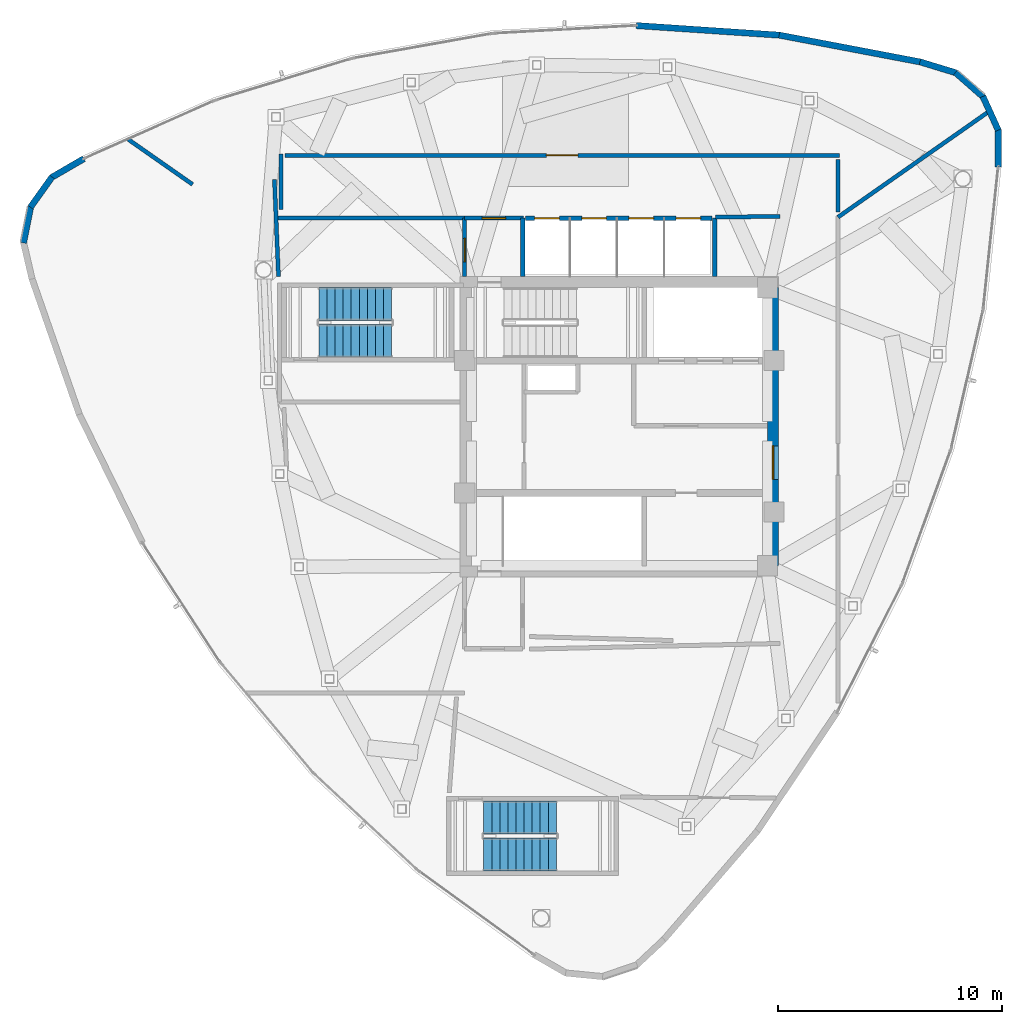
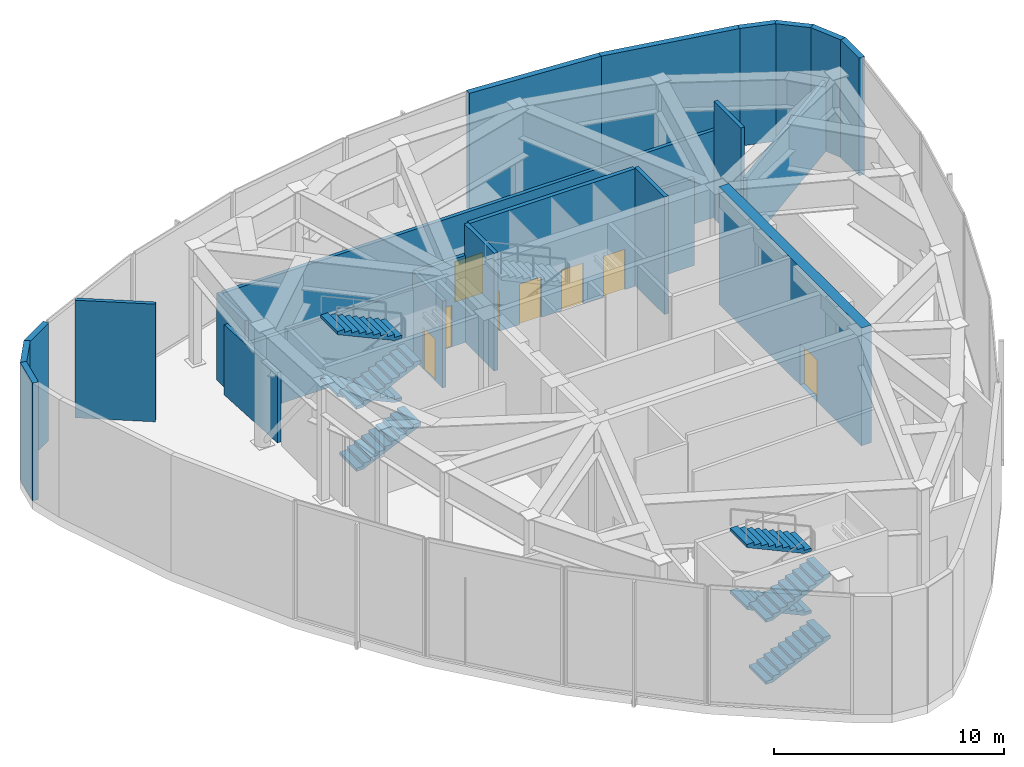
# One storey, part 9 of 13: 23 walls, 8 doors, 8 stair flights, 8 openings, 2 elements without a shape of their own.
"""IFC4 building model written with IfcOpenShell, lengths in metres."""

from ifc_helpers import new_model, si_unit, direction, frame, frame_2d, origin, place, context, subcontext, project, spatial, polyline, rectangle, outline, extrude, material, layer, layer_set, type_object, element, fill, aggregate, save


model = new_model("IFC4")

# Units and contexts
model_context = context("Model", 3, precision=1e-05, world=origin(), true_north=direction((0.0, 1.0)))
body_context = subcontext(model_context, "Body", "Model", "MODEL_VIEW")
ifc_project = project(units=[si_unit("LENGTHUNIT", "METRE"), si_unit("AREAUNIT", "SQUARE_METRE"), si_unit("VOLUMEUNIT", "CUBIC_METRE"), si_unit("PLANEANGLEUNIT", "RADIAN"), si_unit("MASSUNIT", "GRAM", prefix="KILO")], contexts=[model_context])

# Site, building, storey
site_placement = place(None, origin())
site = spatial("IfcSite", under=ifc_project, at=site_placement, CompositionType="ELEMENT")
building_placement = place(site_placement, origin())
building = spatial("IfcBuilding", under=site, at=building_placement, Name="Tavelor Broadcast Tower", CompositionType="ELEMENT")
storey_placement = place(building_placement, frame((0.0, 0.0, 325.5)))
storey = spatial("IfcBuildingStorey", under=building, at=storey_placement, Name="L78", CompositionType="ELEMENT", Elevation=325.5)

# Wall, opening, door
ifc_material_1 = material(Name="Concrete C50/60", Category="concrete")
ifc_layer_1 = layer(ifc_material_1, 0.5)
ifc_layer_set_1 = layer_set([ifc_layer_1], Name="Concrete C50/60")
wall_type_1 = type_object("IfcWallType", Name="Core Shear Wall 500 mm", PredefinedType="SHEAR", material=ifc_layer_set_1)
wall_1_placement = place(storey_placement, frame((56.85009765625, 38.800048828125, 0.0), z_axis=(0.0, 0.0, 1.0), x_axis=(0.0, 1.0, 0.0)))
wall_1 = element("IfcWall", 1, at=wall_1_placement, inside=storey, type_object=wall_type_1, Name="L78 Central Core Shear Wall E", PredefinedType="SHEAR", context=body_context, shape_type="SweptSolid", body=[
    extrude(rectangle(XDim=12.39990234375, YDim=0.5, at=frame_2d((6.199951171875, 0.0))), origin(), (0.0, 0.0, 1.0), 6.25),
])
opening_1_placement = place(wall_1_placement, frame((3.85009765625, 0.0, 0.0)))
opening_1 = element("IfcOpeningElement", 2, at=opening_1_placement, cuts=wall_1, Name="Opening DR14", PredefinedType="OPENING", context=body_context, shape_type="SweptSolid", body=[
    extrude(rectangle(XDim=1.5, YDim=2.199951171875, at=frame_2d((0.75, 1.10009765625))), frame((0.0, 0.260009765625, 0.0), z_axis=(0.0, -1.0, 0.0), x_axis=(1.0, 0.0, 0.0)), (0.0, 0.0, 1.0), 0.52001953125),
])
ifc_material_2 = material(Name="Steel S355", Category="steel")
door_type_1 = type_object("IfcDoorType", Name="Firefighting Lobby Double Fire Door 1500x2200", OperationType="NOTDEFINED", PredefinedType="DOOR", material=ifc_material_2)
door_1_placement = place(opening_1_placement, origin())
door_1 = element("IfcDoor", 3, at=door_1_placement, inside=storey, type_object=door_type_1, Name="L78 Central Core Lobby Fire Door", OperationType="SINGLE_SWING_LEFT", OverallHeight=2.199951171875, OverallWidth=1.5, PredefinedType="DOOR", context=body_context, shape_type="SweptSolid", body=[
    extrude(rectangle(XDim=1.5, YDim=2.199951171875, at=frame_2d((0.75, 1.10009765625))), frame((0.0, 0.02490234375, 0.0), z_axis=(0.0, -1.0, 0.0), x_axis=(1.0, 0.0, 0.0)), (0.0, 0.0, 1.0), 0.050048828125),
])
fill(opening_1, door_1)

# Wall
ifc_material_3 = material(Name="Calcium Silicate Fire Board 180 mm", Category="gypsum")
ifc_layer_2 = layer(ifc_material_3, 0.179931640625)
ifc_layer_set_2 = layer_set([ifc_layer_2], Name="Calcium Silicate Fire Board 180 mm")
wall_type_2 = type_object("IfcWallType", Name="Fire-Rated Corridor Partition Wall 180 mm", PredefinedType="PARTITIONING", material=ifc_layer_set_2)
wall_2_placement = place(storey_placement, frame((34.61669921875, 56.01953125, 0.0), z_axis=(0.0, 0.0, 1.0), x_axis=(0.041900659134, -0.999121781748, 0.0)))
element("IfcWall", 4, at=wall_2_placement, inside=storey, type_object=wall_type_2, Name="L78 Corner Brace Furring Wall 1", PredefinedType="PARTITIONING", context=body_context, shape_type="SweptSolid", body=[
    extrude(rectangle(XDim=4.323486328125, YDim=0.179931640625, at=frame_2d((2.16162109375, 0.0))), origin(), (0.0, 0.0, 1.0), 3.72509765625),
])

# Wall, opening, door
wall_3_placement = place(storey_placement, frame((43.10009765625, 54.300048828125, 0.0), z_axis=(0.0, 0.0, 1.0), x_axis=(1.0, 0.0, 0.0)))
wall_3 = element("IfcWall", 5, at=wall_3_placement, inside=storey, type_object=wall_type_2, Name="L78 Stair ST1 Lobby North Wall", PredefinedType="PARTITIONING", context=body_context, shape_type="SweptSolid", body=[
    extrude(rectangle(XDim=2.619873046875, YDim=0.179931640625, at=frame_2d((1.31005859375, 0.0))), origin(), (0.0, 0.0, 1.0), 4.625),
])
opening_2_placement = place(wall_3_placement, frame((0.780029296875, 0.0, 0.0)))
opening_2 = element("IfcOpeningElement", 6, at=opening_2_placement, cuts=wall_3, Name="Opening DR11", PredefinedType="OPENING", context=body_context, shape_type="SweptSolid", body=[
    extrude(rectangle(XDim=1.050048828125, YDim=2.199951171875, at=frame_2d((0.52490234375, 1.10009765625))), frame((0.0, 0.10009765625, 0.0), z_axis=(0.0, -1.0, 0.0), x_axis=(1.0, 0.0, 0.0)), (0.0, 0.0, 1.0), 0.199951171875),
])
door_type_2 = type_object("IfcDoorType", Name="Stair Core Fire Escape Door 1050x2200", OperationType="NOTDEFINED", PredefinedType="DOOR", material=ifc_material_2)
door_2_placement = place(opening_2_placement, origin())
door_2 = element("IfcDoor", 7, at=door_2_placement, inside=storey, type_object=door_type_2, Name="L78 Stair ST1 Lobby Corridor Door", OperationType="SINGLE_SWING_LEFT", OverallHeight=2.199951171875, OverallWidth=1.050048828125, PredefinedType="DOOR", context=body_context, shape_type="SweptSolid", body=[
    extrude(rectangle(XDim=1.050048828125, YDim=2.199951171875, at=frame_2d((0.52490234375, 1.10009765625))), frame((0.0, 0.02490234375, 0.0), z_axis=(0.0, -1.0, 0.0), x_axis=(1.0, 0.0, 0.0)), (0.0, 0.0, 1.0), 0.050048828125),
])
fill(opening_2, door_2)

wall_4_placement = place(storey_placement, frame((43.10009765625, 51.699951171875, 0.0), z_axis=(0.0, 0.0, 1.0), x_axis=(0.0, 1.0, 0.0)))
wall_4 = element("IfcWall", 8, at=wall_4_placement, inside=storey, type_object=wall_type_2, Name="L78 Fire Refuge North Stair ST1 Lobby Wall", PredefinedType="PARTITIONING", context=body_context, shape_type="SweptSolid", body=[
    extrude(rectangle(XDim=2.60009765625, YDim=0.179931640625, at=frame_2d((1.300048828125, 0.0))), origin(), (0.0, 0.0, 1.0), 4.625),
])
opening_3_placement = place(wall_4_placement, frame((0.64990234375, 0.0, 0.0)))
opening_3 = element("IfcOpeningElement", 9, at=opening_3_placement, cuts=wall_4, Name="Opening DR11", PredefinedType="OPENING", context=body_context, shape_type="SweptSolid", body=[
    extrude(rectangle(XDim=1.050048828125, YDim=2.199951171875, at=frame_2d((0.52490234375, 1.10009765625))), frame((0.0, 0.10009765625, 0.0), z_axis=(0.0, -1.0, 0.0), x_axis=(1.0, 0.0, 0.0)), (0.0, 0.0, 1.0), 0.199951171875),
])
door_3_placement = place(opening_3_placement, origin())
door_3 = element("IfcDoor", 10, at=door_3_placement, inside=storey, type_object=door_type_2, Name="L78 Fire Refuge Stair ST1 Lobby Door", OperationType="SINGLE_SWING_RIGHT", OverallHeight=2.199951171875, OverallWidth=1.050048828125, PredefinedType="DOOR", context=body_context, shape_type="SweptSolid", body=[
    extrude(rectangle(XDim=1.050048828125, YDim=2.199951171875, at=frame_2d((0.52490234375, 1.10009765625))), frame((0.0, 0.02490234375, 0.0), z_axis=(0.0, -1.0, 0.0), x_axis=(1.0, 0.0, 0.0)), (0.0, 0.0, 1.0), 0.050048828125),
])
fill(opening_3, door_3)

# Walls
wall_5_placement = place(storey_placement, frame((34.62890625, 54.300048828125, 0.0), z_axis=(0.0, 0.0, 1.0), x_axis=(1.0, 0.0, 0.0)))
element("IfcWall", 11, at=wall_5_placement, inside=storey, type_object=wall_type_2, Name="L78 Fire Refuge North EI120 Wall", PredefinedType="PARTITIONING", context=body_context, shape_type="SweptSolid", body=[
    extrude(rectangle(XDim=8.47119140625, YDim=0.179931640625, at=frame_2d((4.235595703125, 0.0))), origin(), (0.0, 0.0, 1.0), 3.72509765625),
])
wall_6_placement = place(storey_placement, frame((59.75, 54.347900390625, 0.0), z_axis=(0.0, 0.0, 1.0), x_axis=(0.819158229677, 0.573567602601, 0.0)))
element("IfcWall", 12, at=wall_6_placement, inside=storey, type_object=wall_type_2, Name="L78 Plant Quadrant Fire Wall", PredefinedType="PARTITIONING", context=body_context, shape_type="SweptSolid", body=[
    extrude(rectangle(XDim=8.25, YDim=0.179931640625, at=frame_2d((4.125, 0.0))), origin(), (0.0, 0.0, 1.0), 3.72509765625),
])
wall_7_placement = place(storey_placement, frame((30.966552734375, 55.806640625, 0.0), z_axis=(0.0, 0.0, 1.0), x_axis=(-0.819157035825, 0.573569307633, 0.0)))
element("IfcWall", 13, at=wall_7_placement, inside=storey, type_object=wall_type_2, Name="L78 Plant Quadrant Fire Wall", PredefinedType="PARTITIONING", context=body_context, shape_type="SweptSolid", body=[
    extrude(rectangle(XDim=3.523193359375, YDim=0.179931640625, at=frame_2d((1.76171875, 0.0))), origin(), (0.0, 0.0, 1.0), 6.25),
])
wall_8_placement = place(storey_placement, frame((54.2900390625, 54.349365234375, 0.0), z_axis=(0.0, 0.0, 1.0), x_axis=(0.999940720292, 0.010888337916, 0.0)))
element("IfcWall", 14, at=wall_8_placement, inside=storey, type_object=wall_type_2, Name="L78 Plant Corridor Fire Wall", PredefinedType="PARTITIONING", context=body_context, shape_type="SweptSolid", body=[
    extrude(rectangle(XDim=2.8701171875, YDim=0.179931640625, at=frame_2d((1.43505859375, 0.0))), origin(), (0.0, 0.0, 1.0), 4.625),
])
wall_9_placement = place(storey_placement, frame((34.89990234375, 54.693115234375, 0.0), z_axis=(0.0, 0.0, 1.0), x_axis=(0.0, 1.0, 0.0)))
element("IfcWall", 15, at=wall_9_placement, inside=storey, type_object=wall_type_2, Name="L78 Plant Corridor Fire Wall", PredefinedType="PARTITIONING", context=body_context, shape_type="SweptSolid", body=[
    extrude(rectangle(XDim=2.466796875, YDim=0.179931640625, at=frame_2d((1.2333984375, 0.0))), origin(), (0.0, 0.0, 1.0), 4.625),
])

# Wall, opening, door
wall_10_placement = place(storey_placement, frame((35.080078125, 57.10009765625, 0.0), z_axis=(0.0, 0.0, 1.0), x_axis=(1.0, 0.0, 0.0)))
wall_10 = element("IfcWall", 16, at=wall_10_placement, inside=storey, type_object=wall_type_2, Name="L78 Plant Corridor Fire Wall", PredefinedType="PARTITIONING", context=body_context, shape_type="SweptSolid", body=[
    extrude(rectangle(XDim=24.72998046875, YDim=0.179931640625, at=frame_2d((12.364990234375, 0.0))), origin(), (0.0, 0.0, 1.0), 4.625),
])
opening_4_placement = place(wall_10_placement, frame((11.6650390625, 0.0, 0.0)))
opening_4 = element("IfcOpeningElement", 17, at=opening_4_placement, cuts=wall_10, Name="Opening DR41", PredefinedType="OPENING", context=body_context, shape_type="SweptSolid", body=[
    extrude(rectangle(XDim=1.39990234375, YDim=2.14990234375, at=frame_2d((0.699951171875, 1.074951171875))), frame((0.0, 0.10009765625, 0.0), z_axis=(0.0, -1.0, 0.0), x_axis=(1.0, 0.0, 0.0)), (0.0, 0.0, 1.0), 0.199951171875),
])
door_type_3 = type_object("IfcDoorType", Name="Plant Room Double Fire Door 1400x2150", OperationType="NOTDEFINED", PredefinedType="DOOR", material=ifc_material_2)
door_4_placement = place(opening_4_placement, origin())
door_4 = element("IfcDoor", 18, at=door_4_placement, inside=storey, type_object=door_type_3, Name="L78 Tuned Mass Damper Chamber Direct Corridor Door", OperationType="SINGLE_SWING_LEFT", OverallHeight=2.14990234375, OverallWidth=1.39990234375, PredefinedType="DOOR", context=body_context, shape_type="SweptSolid", body=[
    extrude(rectangle(XDim=1.39990234375, YDim=2.14990234375, at=frame_2d((0.699951171875, 1.074951171875))), frame((0.0, 0.02490234375, 0.0), z_axis=(0.0, -1.0, 0.0), x_axis=(1.0, 0.0, 0.0)), (0.0, 0.0, 1.0), 0.050048828125),
])
fill(opening_4, door_4)

# Walls
wall_11_placement = place(storey_placement, frame((59.75, 56.919921875, 0.0), z_axis=(0.0, 0.0, 1.0), x_axis=(0.0, -1.0, 0.0)))
element("IfcWall", 19, at=wall_11_placement, inside=storey, type_object=wall_type_2, Name="L78 Plant Corridor Fire Wall", PredefinedType="PARTITIONING", context=body_context, shape_type="SweptSolid", body=[
    extrude(rectangle(XDim=2.351318359375, YDim=0.179931640625, at=frame_2d((1.17578125, 0.0))), origin(), (0.0, 0.0, 1.0), 6.25),
])
ifc_material_4 = material(Name="Precast Concrete C40/50", Category="concrete")
ifc_layer_3 = layer(ifc_material_4, 0.280029296875)
ifc_layer_set_3 = layer_set([ifc_layer_3], Name="Precast Concrete C40/50")
wall_type_3 = type_object("IfcWallType", Name="Insulated Precast Terracotta Facade Wall 280 mm", PredefinedType="STANDARD", material=ifc_layer_set_3)
wall_12_placement = place(storey_placement, frame((26.116943359375, 56.95458984375, 0.0), z_axis=(0.0, 0.0, 1.0), x_axis=(-0.864749941909, -0.502202686142, 0.0)))
element("IfcWall", 20, at=wall_12_placement, inside=storey, type_object=wall_type_3, Name="L78 Rounded Corner Structural Cladding Pier 01", PredefinedType="STANDARD", context=body_context, shape_type="SweptSolid", body=[
    extrude(rectangle(XDim=1.666015625, YDim=0.280029296875, at=frame_2d((0.8330078125, 0.0))), origin(), (0.0, 0.0, 1.0), 6.25),
])
wall_13_placement = place(storey_placement, frame((24.697998046875, 56.1376953125, 0.0), z_axis=(0.0, 0.0, 1.0), x_axis=(-0.581377766879, -0.813633758013, 0.0)))
element("IfcWall", 21, at=wall_13_placement, inside=storey, type_object=wall_type_3, Name="L78 Rounded Corner Structural Cladding Pier 02", PredefinedType="STANDARD", context=body_context, shape_type="SweptSolid", body=[
    extrude(rectangle(XDim=1.654541015625, YDim=0.280029296875, at=frame_2d((0.8271484375, 0.0))), origin(), (0.0, 0.0, 1.0), 6.25),
])
wall_14_placement = place(storey_placement, frame((23.747802734375, 54.818359375, 0.0), z_axis=(0.0, 0.0, 1.0), x_axis=(-0.195094354541, -0.980784478276, 0.0)))
element("IfcWall", 22, at=wall_14_placement, inside=storey, type_object=wall_type_3, Name="L78 Rounded Corner Structural Cladding Pier 03", PredefinedType="STANDARD", context=body_context, shape_type="SweptSolid", body=[
    extrude(rectangle(XDim=1.654296875, YDim=0.280029296875, at=frame_2d((0.8271484375, 0.0))), origin(), (0.0, 0.0, 1.0), 6.25),
])
wall_15_placement = place(storey_placement, frame((66.89453125, 56.58837890625, 0.0), z_axis=(0.0, 0.0, 1.0), x_axis=(-0.002637739944, 0.999996521158, 0.0)))
element("IfcWall", 23, at=wall_15_placement, inside=storey, type_object=wall_type_3, Name="L78 Rounded Corner Structural Cladding Pier 21", PredefinedType="STANDARD", context=body_context, shape_type="SweptSolid", body=[
    extrude(rectangle(XDim=1.666015625, YDim=0.280029296875, at=frame_2d((0.8330078125, 0.0))), origin(), (0.0, 0.0, 1.0), 6.25),
])
wall_16_placement = place(storey_placement, frame((66.896484375, 58.2255859375, 0.0), z_axis=(0.0, 0.0, 1.0), x_axis=(-0.413914118792, 0.910315935412, 0.0)))
element("IfcWall", 24, at=wall_16_placement, inside=storey, type_object=wall_type_3, Name="L78 Rounded Corner Structural Cladding Pier 22", PredefinedType="STANDARD", context=body_context, shape_type="SweptSolid", body=[
    extrude(rectangle(XDim=1.654541015625, YDim=0.280029296875, at=frame_2d((0.8271484375, 0.0))), origin(), (0.0, 0.0, 1.0), 6.25),
])
wall_17_placement = place(storey_placement, frame((66.22900390625, 59.7080078125, 0.0), z_axis=(0.0, 0.0, 1.0), x_axis=(-0.751716758053, 0.659486099674, 0.0)))
element("IfcWall", 25, at=wall_17_placement, inside=storey, type_object=wall_type_3, Name="L78 Rounded Corner Structural Cladding Pier 23", PredefinedType="STANDARD", context=body_context, shape_type="SweptSolid", body=[
    extrude(rectangle(XDim=1.654296875, YDim=0.280029296875, at=frame_2d((0.8271484375, 0.0))), origin(), (0.0, 0.0, 1.0), 6.25),
])
wall_18_placement = place(storey_placement, frame((65.010986328125, 60.78466796875, 0.0), z_axis=(0.0, 0.0, 1.0), x_axis=(-0.956546855659, 0.291578656504, 0.0)))
element("IfcWall", 26, at=wall_18_placement, inside=storey, type_object=wall_type_3, Name="L78 Rounded Corner Structural Cladding Pier 24", PredefinedType="STANDARD", context=body_context, shape_type="SweptSolid", body=[
    extrude(rectangle(XDim=1.67724609375, YDim=0.280029296875, at=frame_2d((0.838623046875, 0.0))), origin(), (0.0, 0.0, 1.0), 6.25),
])
wall_19_placement = place(storey_placement, frame((63.435791015625, 61.2666015625, 0.0), z_axis=(0.0, 0.0, 1.0), x_axis=(-0.982368813291, 0.186953241945, 0.0)))
element("IfcWall", 27, at=wall_19_placement, inside=storey, type_object=wall_type_3, Name="L78 Rounded Corner Structural Cladding Pier 25", PredefinedType="STANDARD", context=body_context, shape_type="SweptSolid", body=[
    extrude(rectangle(XDim=6.42626953125, YDim=0.280029296875, at=frame_2d((3.213134765625, 0.0))), origin(), (0.0, 0.0, 1.0), 6.25),
])
wall_20_placement = place(storey_placement, frame((57.15234375, 62.46435546875, 0.0), z_axis=(0.0, 0.0, 1.0), x_axis=(-0.997774197542, 0.066683211676, 0.0)))
element("IfcWall", 28, at=wall_20_placement, inside=storey, type_object=wall_type_3, Name="L78 Rounded Corner Structural Cladding Pier 26", PredefinedType="STANDARD", context=body_context, shape_type="SweptSolid", body=[
    extrude(rectangle(XDim=6.414306640625, YDim=0.280029296875, at=frame_2d((3.20703125, 0.0))), origin(), (0.0, 0.0, 1.0), 6.25),
])

# Wall, openings, doors
ifc_material_5 = material(Name="Concrete Blockwork 200 mm", Category="masonry")
ifc_layer_4 = layer(ifc_material_5, 0.199951171875)
ifc_layer_set_4 = layer_set([ifc_layer_4], Name="Concrete Blockwork 200 mm")
wall_type_4 = type_object("IfcWallType", Name="Lift Hoistway Rated Front Wall 200 mm", PredefinedType="PARTITIONING", material=ifc_layer_set_4)
wall_21_placement = place(storey_placement, frame((45.820068359375, 54.300048828125, 0.0), z_axis=(0.0, 0.0, 1.0), x_axis=(1.0, 0.0, 0.0)))
wall_21 = element("IfcWall", 29, at=wall_21_placement, inside=storey, type_object=wall_type_4, Name="L78 High-Rise Lift Hoistway Front Wall", PredefinedType="PARTITIONING", context=body_context, shape_type="SweptSolid", body=[
    extrude(rectangle(XDim=8.309814453125, YDim=0.199951171875, at=frame_2d((4.15478515625, 0.0))), origin(), (0.0, 0.0, 1.0), 6.25),
])
opening_5_placement = place(wall_21_placement, frame((0.405029296875, 0.0, 0.0)))
opening_5 = element("IfcOpeningElement", 30, at=opening_5_placement, cuts=wall_21, Name="Opening LD01", PredefinedType="OPENING", context=body_context, shape_type="SweptSolid", body=[
    extrude(rectangle(XDim=1.10009765625, YDim=2.14990234375, at=frame_2d((0.550048828125, 1.074951171875))), frame((0.0, 0.10986328125, 0.0), z_axis=(0.0, -1.0, 0.0), x_axis=(1.0, 0.0, 0.0)), (0.0, 0.0, 1.0), 0.219970703125),
])
opening_6_placement = place(wall_21_placement, frame((2.5048828125, 0.0, 0.0)))
opening_6 = element("IfcOpeningElement", 31, at=opening_6_placement, cuts=wall_21, Name="Opening LD01", PredefinedType="OPENING", context=body_context, shape_type="SweptSolid", body=[
    extrude(rectangle(XDim=1.10009765625, YDim=2.14990234375, at=frame_2d((0.550048828125, 1.074951171875))), frame((0.0, 0.10986328125, 0.0), z_axis=(0.0, -1.0, 0.0), x_axis=(1.0, 0.0, 0.0)), (0.0, 0.0, 1.0), 0.219970703125),
])
opening_7_placement = place(wall_21_placement, frame((4.60498046875, 0.0, 0.0)))
opening_7 = element("IfcOpeningElement", 32, at=opening_7_placement, cuts=wall_21, Name="Opening LD01", PredefinedType="OPENING", context=body_context, shape_type="SweptSolid", body=[
    extrude(rectangle(XDim=1.10009765625, YDim=2.14990234375, at=frame_2d((0.550048828125, 1.074951171875))), frame((0.0, 0.10986328125, 0.0), z_axis=(0.0, -1.0, 0.0), x_axis=(1.0, 0.0, 0.0)), (0.0, 0.0, 1.0), 0.219970703125),
])
opening_8_placement = place(wall_21_placement, frame((6.705078125, 0.0, 0.0)))
opening_8 = element("IfcOpeningElement", 33, at=opening_8_placement, cuts=wall_21, Name="Opening LD01", PredefinedType="OPENING", context=body_context, shape_type="SweptSolid", body=[
    extrude(rectangle(XDim=1.10009765625, YDim=2.14990234375, at=frame_2d((0.550048828125, 1.074951171875))), frame((0.0, 0.10986328125, 0.0), z_axis=(0.0, -1.0, 0.0), x_axis=(1.0, 0.0, 0.0)), (0.0, 0.0, 1.0), 0.219970703125),
])
ifc_material_6 = material(Name="Brushed Stainless Steel", Category="steel")
door_type_4 = type_object("IfcDoorType", Name="Passenger Lift Sliding Landing Door 1100x2150", OperationType="NOTDEFINED", PredefinedType="DOOR", material=ifc_material_6)
door_5_placement = place(opening_5_placement, origin())
door_5 = element("IfcDoor", 34, at=door_5_placement, inside=storey, type_object=door_type_4, Name="L78 Lift PLH1 Sliding Landing Door", OperationType="SLIDING_TO_LEFT", OverallHeight=2.14990234375, OverallWidth=1.10009765625, PredefinedType="DOOR", context=body_context, shape_type="SweptSolid", body=[
    extrude(rectangle(XDim=1.10009765625, YDim=2.14990234375, at=frame_2d((0.550048828125, 1.074951171875))), frame((0.0, 0.02490234375, 0.0), z_axis=(0.0, -1.0, 0.0), x_axis=(1.0, 0.0, 0.0)), (0.0, 0.0, 1.0), 0.050048828125),
])
fill(opening_5, door_5)
door_6_placement = place(opening_6_placement, origin())
door_6 = element("IfcDoor", 35, at=door_6_placement, inside=storey, type_object=door_type_4, Name="L78 Lift PLH2 Sliding Landing Door", OperationType="SLIDING_TO_RIGHT", OverallHeight=2.14990234375, OverallWidth=1.10009765625, PredefinedType="DOOR", context=body_context, shape_type="SweptSolid", body=[
    extrude(rectangle(XDim=1.10009765625, YDim=2.14990234375, at=frame_2d((0.550048828125, 1.074951171875))), frame((0.0, 0.02490234375, 0.0), z_axis=(0.0, -1.0, 0.0), x_axis=(1.0, 0.0, 0.0)), (0.0, 0.0, 1.0), 0.050048828125),
])
fill(opening_6, door_6)
door_7_placement = place(opening_7_placement, origin())
door_7 = element("IfcDoor", 36, at=door_7_placement, inside=storey, type_object=door_type_4, Name="L78 Lift PLH3 Sliding Landing Door", OperationType="SLIDING_TO_LEFT", OverallHeight=2.14990234375, OverallWidth=1.10009765625, PredefinedType="DOOR", context=body_context, shape_type="SweptSolid", body=[
    extrude(rectangle(XDim=1.10009765625, YDim=2.14990234375, at=frame_2d((0.550048828125, 1.074951171875))), frame((0.0, 0.02490234375, 0.0), z_axis=(0.0, -1.0, 0.0), x_axis=(1.0, 0.0, 0.0)), (0.0, 0.0, 1.0), 0.050048828125),
])
fill(opening_7, door_7)
door_8_placement = place(opening_8_placement, origin())
door_8 = element("IfcDoor", 37, at=door_8_placement, inside=storey, type_object=door_type_4, Name="L78 Lift PLH4 Sliding Landing Door", OperationType="SLIDING_TO_RIGHT", OverallHeight=2.14990234375, OverallWidth=1.10009765625, PredefinedType="DOOR", context=body_context, shape_type="SweptSolid", body=[
    extrude(rectangle(XDim=1.10009765625, YDim=2.14990234375, at=frame_2d((0.550048828125, 1.074951171875))), frame((0.0, 0.02490234375, 0.0), z_axis=(0.0, -1.0, 0.0), x_axis=(1.0, 0.0, 0.0)), (0.0, 0.0, 1.0), 0.050048828125),
])
fill(opening_8, door_8)

# Walls
ifc_layer_5 = layer(ifc_material_5, 0.199951171875)
ifc_layer_set_5 = layer_set([ifc_layer_5], Name="Concrete Blockwork 200 mm")
wall_type_5 = type_object("IfcWallType", Name="Lift and Riser Shaft Enclosure Wall 200 mm", PredefinedType="PARTITIONING", material=ifc_layer_set_5)
for number, where, z_axis, x_axis, name in (
    (38, (45.699951171875, 51.699951171875, 0.0), (0.0, 0.0, 1.0), (0.0, 1.0, 0.0), "L78 High-Rise Lift Shaft West Wall"),
    (39, (54.25, 51.699951171875, 0.0), (0.0, 0.0, 1.0), (0.0, 1.0, 0.0), "L78 High-Rise Lift Shaft East Wall"),
):
    element("IfcWall", number, at=place(storey_placement, frame(where, z_axis=z_axis, x_axis=x_axis)), inside=storey, type_object=wall_type_5, Name=name, PredefinedType="PARTITIONING", context=body_context, shape_type="SweptSolid", body=[
        extrude(rectangle(XDim=2.60009765625, YDim=0.199951171875, at=frame_2d((1.300048828125, 0.0))), origin(), (0.0, 0.0, 1.0), 6.25),
    ])

# Stair, stair flights
ifc_material_7 = material(Name="Concrete C40/50", Category="concrete")
stair_type = type_object("IfcStairType", Name="Reinforced Concrete Protected Dogleg Stair 1450 mm", PredefinedType="HALF_TURN_STAIR", material=ifc_material_7)
stair_1_placement = place(storey_placement, origin())
stair_1 = element("IfcStair", 40, at=stair_1_placement, inside=storey, type_object=stair_type, Name="L78 Crown Peak A Plant Stair ST5", PredefinedType="HALF_TURN_STAIR")
stair_flight_type = type_object("IfcStairFlightType", Name="Reinforced Concrete Stair Flight 1450 mm", PredefinedType="STRAIGHT", material=ifc_material_7)
stair_flight_1_placement = place(storey_placement, frame((36.60009765625, 48.824951171875, 0.0), z_axis=(0.0, 0.0, 1.0), x_axis=(1.0, 0.0, 0.0)))
stair_flight_1 = element("IfcStairFlight", 41, at=stair_flight_1_placement, type_object=stair_flight_type, Name="ST5 flight 1", NumberOfRisers=10, NumberOfTreads=9, PredefinedType="STRAIGHT", RiserHeight=0.165, TreadLength=0.36, context=body_context, shape_type="SweptSolid", body=[
    extrude(outline(polyline([(0.0, 0.0), (0.0, 0.1650390625), (0.360107421875, 0.1650390625), (0.360107421875, 0.330078125), (0.719970703125, 0.330078125), (0.719970703125, 0.4951171875), (1.080078125, 0.4951171875), (1.080078125, 0.659912109375), (1.43994140625, 0.659912109375), (1.43994140625, 0.824951171875), (1.800048828125, 0.824951171875), (1.800048828125, 0.989990234375), (2.159912109375, 0.989990234375), (2.159912109375, 1.155029296875), (2.52001953125, 1.155029296875), (2.52001953125, 1.320068359375), (2.8798828125, 1.320068359375), (2.8798828125, 1.485107421875), (3.239990234375, 1.485107421875), (3.239990234375, 1.64990234375), (3.239990234375, 1.320068359375), (0.35986328125, 0.0), (0.0, 0.0)])), frame((0.0, 0.72509765625, 0.0), z_axis=(0.0, -1.0, 0.0), x_axis=(1.0, 0.0, 0.0)), (0.0, 0.0, 1.0), 1.449951171875),
])
stair_flight_2_placement = place(storey_placement, frame((39.840087890625, 50.47509765625, 1.64990234375), z_axis=(0.0, 0.0, 1.0), x_axis=(-1.0, 0.0, 0.0)))
stair_flight_2 = element("IfcStairFlight", 42, at=stair_flight_2_placement, type_object=stair_flight_type, Name="ST5 flight 2", NumberOfRisers=10, NumberOfTreads=9, PredefinedType="STRAIGHT", RiserHeight=0.165, TreadLength=0.36, context=body_context, shape_type="SweptSolid", body=[
    extrude(outline(polyline([(0.0, 0.0), (0.0, 0.1650390625), (0.360107421875, 0.1650390625), (0.360107421875, 0.330078125), (0.719970703125, 0.330078125), (0.719970703125, 0.4951171875), (1.080078125, 0.4951171875), (1.080078125, 0.659912109375), (1.43994140625, 0.659912109375), (1.43994140625, 0.824951171875), (1.800048828125, 0.824951171875), (1.800048828125, 0.989990234375), (2.159912109375, 0.989990234375), (2.159912109375, 1.155029296875), (2.52001953125, 1.155029296875), (2.52001953125, 1.320068359375), (2.8798828125, 1.320068359375), (2.8798828125, 1.485107421875), (3.239990234375, 1.485107421875), (3.239990234375, 1.64990234375), (3.239990234375, 1.320068359375), (0.35986328125, 0.0), (0.0, 0.0)])), frame((0.0, 0.72509765625, 0.0), z_axis=(0.0, -1.0, 0.0), x_axis=(1.0, 0.0, 0.0)), (0.0, 0.0, 1.0), 1.449951171875),
])
stair_flight_3_placement = place(storey_placement, frame((36.60009765625, 48.824951171875, 3.300048828125), z_axis=(0.0, 0.0, 1.0), x_axis=(1.0, 0.0, 0.0)))
stair_flight_3 = element("IfcStairFlight", 43, at=stair_flight_3_placement, type_object=stair_flight_type, Name="ST5 flight 3", NumberOfRisers=10, NumberOfTreads=9, PredefinedType="STRAIGHT", RiserHeight=0.165, TreadLength=0.36, context=body_context, shape_type="SweptSolid", body=[
    extrude(outline(polyline([(0.0, 0.0), (0.0, 0.1650390625), (0.360107421875, 0.1650390625), (0.360107421875, 0.330078125), (0.719970703125, 0.330078125), (0.719970703125, 0.4951171875), (1.080078125, 0.4951171875), (1.080078125, 0.659912109375), (1.43994140625, 0.659912109375), (1.43994140625, 0.824951171875), (1.800048828125, 0.824951171875), (1.800048828125, 0.989990234375), (2.159912109375, 0.989990234375), (2.159912109375, 1.155029296875), (2.52001953125, 1.155029296875), (2.52001953125, 1.320068359375), (2.8798828125, 1.320068359375), (2.8798828125, 1.485107421875), (3.239990234375, 1.485107421875), (3.239990234375, 1.64990234375), (3.239990234375, 1.320068359375), (0.35986328125, 0.0), (0.0, 0.0)])), frame((0.0, 0.72509765625, 0.0), z_axis=(0.0, -1.0, 0.0), x_axis=(1.0, 0.0, 0.0)), (0.0, 0.0, 1.0), 1.449951171875),
])
stair_flight_4_placement = place(storey_placement, frame((39.840087890625, 50.47509765625, 4.949951171875), z_axis=(0.0, 0.0, 1.0), x_axis=(-1.0, 0.0, 0.0)))
stair_flight_4 = element("IfcStairFlight", 44, at=stair_flight_4_placement, type_object=stair_flight_type, Name="ST5 flight 4", NumberOfRisers=10, NumberOfTreads=9, PredefinedType="STRAIGHT", RiserHeight=0.165, TreadLength=0.36, context=body_context, shape_type="SweptSolid", body=[
    extrude(outline(polyline([(0.0, 0.0), (0.0, 0.1650390625), (0.360107421875, 0.1650390625), (0.360107421875, 0.330078125), (0.719970703125, 0.330078125), (0.719970703125, 0.4951171875), (1.080078125, 0.4951171875), (1.080078125, 0.659912109375), (1.43994140625, 0.659912109375), (1.43994140625, 0.824951171875), (1.800048828125, 0.824951171875), (1.800048828125, 0.989990234375), (2.159912109375, 0.989990234375), (2.159912109375, 1.155029296875), (2.52001953125, 1.155029296875), (2.52001953125, 1.320068359375), (2.8798828125, 1.320068359375), (2.8798828125, 1.485107421875), (3.239990234375, 1.485107421875), (3.239990234375, 1.64990234375), (3.239990234375, 1.320068359375), (0.35986328125, 0.0), (0.0, 0.0)])), frame((0.0, 0.72509765625, 0.0), z_axis=(0.0, -1.0, 0.0), x_axis=(1.0, 0.0, 0.0)), (0.0, 0.0, 1.0), 1.449951171875),
])
aggregate(stair_1, [stair_flight_1, stair_flight_2, stair_flight_3, stair_flight_4])

stair_2_placement = place(storey_placement, origin())
stair_2 = element("IfcStair", 45, at=stair_2_placement, inside=storey, type_object=stair_type, Name="L78 Crown Peak B Plant Stair ST6", PredefinedType="HALF_TURN_STAIR")
stair_flight_5_placement = place(storey_placement, frame((43.949951171875, 25.925048828125, 0.0), z_axis=(0.0, 0.0, 1.0), x_axis=(1.0, 0.0, 0.0)))
stair_flight_5 = element("IfcStairFlight", 46, at=stair_flight_5_placement, type_object=stair_flight_type, Name="ST6 flight 1", NumberOfRisers=10, NumberOfTreads=9, PredefinedType="STRAIGHT", RiserHeight=0.165, TreadLength=0.36, context=body_context, shape_type="SweptSolid", body=[
    extrude(outline(polyline([(0.0, 0.0), (0.0, 0.1650390625), (0.360107421875, 0.1650390625), (0.360107421875, 0.330078125), (0.719970703125, 0.330078125), (0.719970703125, 0.4951171875), (1.080078125, 0.4951171875), (1.080078125, 0.659912109375), (1.43994140625, 0.659912109375), (1.43994140625, 0.824951171875), (1.800048828125, 0.824951171875), (1.800048828125, 0.989990234375), (2.159912109375, 0.989990234375), (2.159912109375, 1.155029296875), (2.52001953125, 1.155029296875), (2.52001953125, 1.320068359375), (2.8798828125, 1.320068359375), (2.8798828125, 1.485107421875), (3.239990234375, 1.485107421875), (3.239990234375, 1.64990234375), (3.239990234375, 1.320068359375), (0.35986328125, 0.0), (0.0, 0.0)])), frame((0.0, 0.72509765625, 0.0), z_axis=(0.0, -1.0, 0.0), x_axis=(1.0, 0.0, 0.0)), (0.0, 0.0, 1.0), 1.449951171875),
])
stair_flight_6_placement = place(storey_placement, frame((47.18994140625, 27.574951171875, 1.64990234375), z_axis=(0.0, 0.0, 1.0), x_axis=(-1.0, 0.0, 0.0)))
stair_flight_6 = element("IfcStairFlight", 47, at=stair_flight_6_placement, type_object=stair_flight_type, Name="ST6 flight 2", NumberOfRisers=10, NumberOfTreads=9, PredefinedType="STRAIGHT", RiserHeight=0.165, TreadLength=0.36, context=body_context, shape_type="SweptSolid", body=[
    extrude(outline(polyline([(0.0, 0.0), (0.0, 0.1650390625), (0.360107421875, 0.1650390625), (0.360107421875, 0.330078125), (0.719970703125, 0.330078125), (0.719970703125, 0.4951171875), (1.080078125, 0.4951171875), (1.080078125, 0.659912109375), (1.43994140625, 0.659912109375), (1.43994140625, 0.824951171875), (1.800048828125, 0.824951171875), (1.800048828125, 0.989990234375), (2.159912109375, 0.989990234375), (2.159912109375, 1.155029296875), (2.52001953125, 1.155029296875), (2.52001953125, 1.320068359375), (2.8798828125, 1.320068359375), (2.8798828125, 1.485107421875), (3.239990234375, 1.485107421875), (3.239990234375, 1.64990234375), (3.239990234375, 1.320068359375), (0.35986328125, 0.0), (0.0, 0.0)])), frame((0.0, 0.72509765625, 0.0), z_axis=(0.0, -1.0, 0.0), x_axis=(1.0, 0.0, 0.0)), (0.0, 0.0, 1.0), 1.449951171875),
])
stair_flight_7_placement = place(storey_placement, frame((43.949951171875, 25.925048828125, 3.300048828125), z_axis=(0.0, 0.0, 1.0), x_axis=(1.0, 0.0, 0.0)))
stair_flight_7 = element("IfcStairFlight", 48, at=stair_flight_7_placement, type_object=stair_flight_type, Name="ST6 flight 3", NumberOfRisers=10, NumberOfTreads=9, PredefinedType="STRAIGHT", RiserHeight=0.165, TreadLength=0.36, context=body_context, shape_type="SweptSolid", body=[
    extrude(outline(polyline([(0.0, 0.0), (0.0, 0.1650390625), (0.360107421875, 0.1650390625), (0.360107421875, 0.330078125), (0.719970703125, 0.330078125), (0.719970703125, 0.4951171875), (1.080078125, 0.4951171875), (1.080078125, 0.659912109375), (1.43994140625, 0.659912109375), (1.43994140625, 0.824951171875), (1.800048828125, 0.824951171875), (1.800048828125, 0.989990234375), (2.159912109375, 0.989990234375), (2.159912109375, 1.155029296875), (2.52001953125, 1.155029296875), (2.52001953125, 1.320068359375), (2.8798828125, 1.320068359375), (2.8798828125, 1.485107421875), (3.239990234375, 1.485107421875), (3.239990234375, 1.64990234375), (3.239990234375, 1.320068359375), (0.35986328125, 0.0), (0.0, 0.0)])), frame((0.0, 0.72509765625, 0.0), z_axis=(0.0, -1.0, 0.0), x_axis=(1.0, 0.0, 0.0)), (0.0, 0.0, 1.0), 1.449951171875),
])
stair_flight_8_placement = place(storey_placement, frame((47.18994140625, 27.574951171875, 4.949951171875), z_axis=(0.0, 0.0, 1.0), x_axis=(-1.0, 0.0, 0.0)))
stair_flight_8 = element("IfcStairFlight", 49, at=stair_flight_8_placement, type_object=stair_flight_type, Name="ST6 flight 4", NumberOfRisers=10, NumberOfTreads=9, PredefinedType="STRAIGHT", RiserHeight=0.165, TreadLength=0.36, context=body_context, shape_type="SweptSolid", body=[
    extrude(outline(polyline([(0.0, 0.0), (0.0, 0.1650390625), (0.360107421875, 0.1650390625), (0.360107421875, 0.330078125), (0.719970703125, 0.330078125), (0.719970703125, 0.4951171875), (1.080078125, 0.4951171875), (1.080078125, 0.659912109375), (1.43994140625, 0.659912109375), (1.43994140625, 0.824951171875), (1.800048828125, 0.824951171875), (1.800048828125, 0.989990234375), (2.159912109375, 0.989990234375), (2.159912109375, 1.155029296875), (2.52001953125, 1.155029296875), (2.52001953125, 1.320068359375), (2.8798828125, 1.320068359375), (2.8798828125, 1.485107421875), (3.239990234375, 1.485107421875), (3.239990234375, 1.64990234375), (3.239990234375, 1.320068359375), (0.35986328125, 0.0), (0.0, 0.0)])), frame((0.0, 0.72509765625, 0.0), z_axis=(0.0, -1.0, 0.0), x_axis=(1.0, 0.0, 0.0)), (0.0, 0.0, 1.0), 1.449951171875),
])
aggregate(stair_2, [stair_flight_5, stair_flight_6, stair_flight_7, stair_flight_8])

save(model, "model.ifc")
